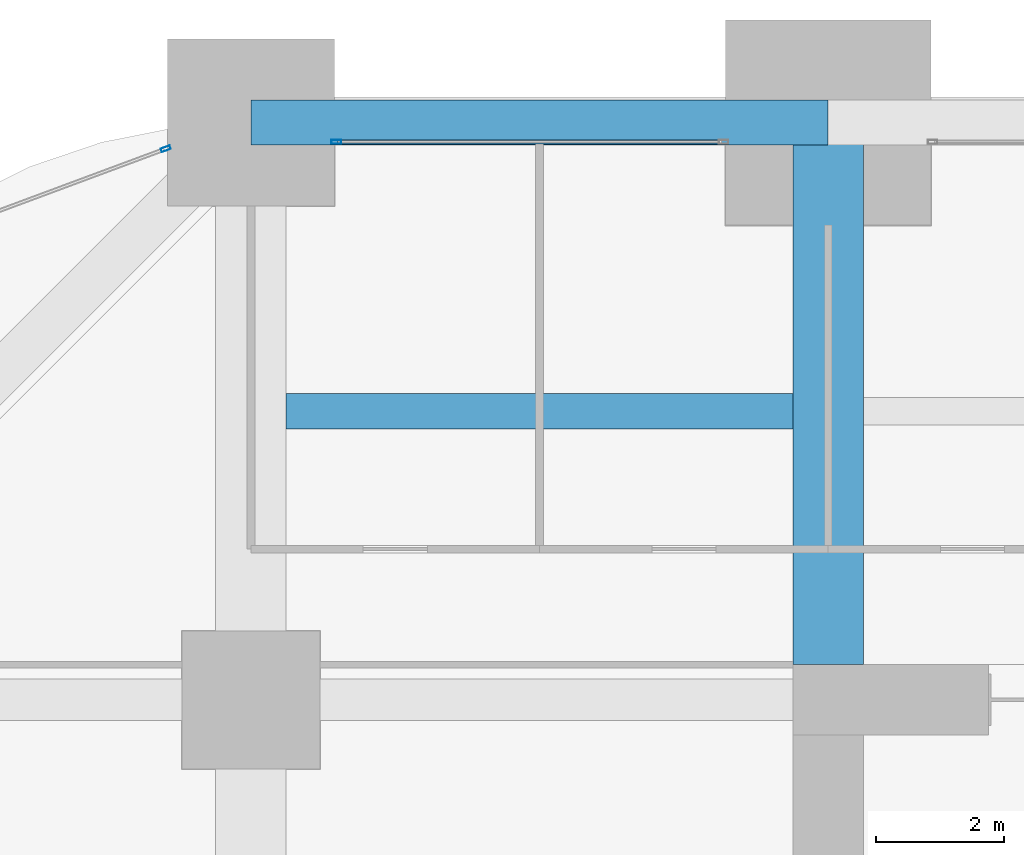
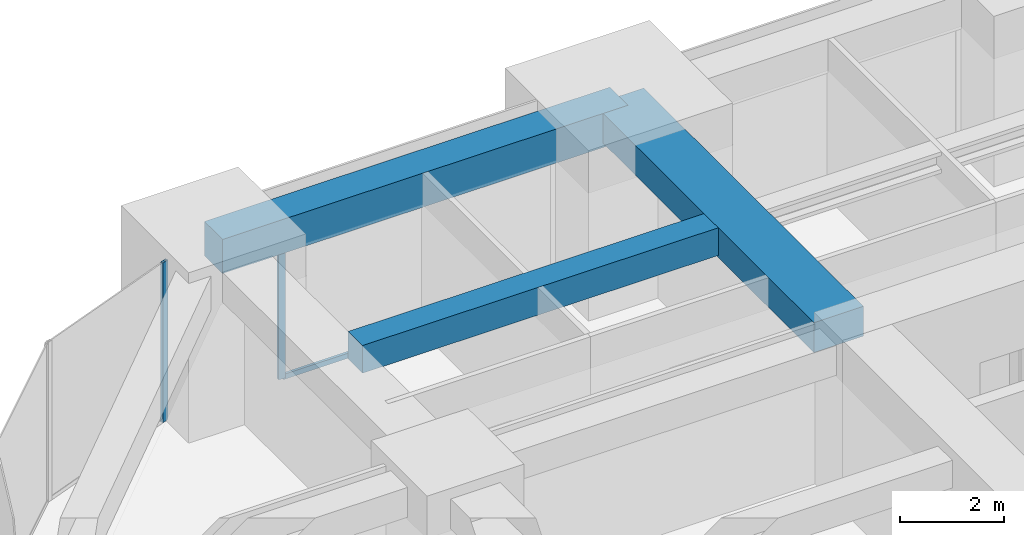
# One storey, part 27 of 41: 3 beams, 3 members, 2 elements without a shape of their own.
"""IFC4 building model written with IfcOpenShell, lengths in metres."""

from ifc_helpers import new_model, si_unit, direction, frame, origin, origin_2d, place, context, subcontext, project, spatial, rectangle, hollow_rectangle, extrude, material, material_profile, profile_set, type_object, element, aggregate, save


model = new_model("IFC4")

# Units and contexts
model_context = context("Model", 3, precision=1e-05, world=origin(), true_north=direction((0.0, 1.0)))
body_context = subcontext(model_context, "Body", "Model", "MODEL_VIEW")
ifc_project = project(units=[si_unit("LENGTHUNIT", "METRE"), si_unit("AREAUNIT", "SQUARE_METRE"), si_unit("VOLUMEUNIT", "CUBIC_METRE"), si_unit("PLANEANGLEUNIT", "RADIAN"), si_unit("MASSUNIT", "GRAM", prefix="KILO")], contexts=[model_context])

# Site, building, storey
site_placement = place(None, origin())
site = spatial("IfcSite", under=ifc_project, at=site_placement, CompositionType="ELEMENT")
building_placement = place(site_placement, origin())
building = spatial("IfcBuilding", under=site, at=building_placement, Name="Zorevar Civic Tower", CompositionType="ELEMENT")
storey_placement = place(building_placement, frame((0.0, 0.0, 89.0)))
storey = spatial("IfcBuildingStorey", under=building, at=storey_placement, Name="L21", CompositionType="ELEMENT", Elevation=89.0)

# Beams
ifc_material_1 = material(Name="Concrete C50/60", Category="concrete")
ifc_material_profile_1 = material_profile(ifc_material_1, rectangle(XDim=1.10009765625, YDim=0.699951171875, at=origin_2d()), Name="RC 1100x700")
ifc_profile_set_1 = profile_set([ifc_material_profile_1], Name="Concrete C50/60")
beam_type_1 = type_object("IfcBeamType", Name="Beam RC 1100x700", PredefinedType="BEAM", material=ifc_profile_set_1)
beam_1_placement = place(storey_placement, frame((18.0, 36.550048828125, 3.39990234375), z_axis=(0.0, 1.0, 0.0), x_axis=(-1.0, 0.0, 0.0)))
element("IfcBeam", 1, at=beam_1_placement, inside=storey, type_object=beam_type_1, Name="Girder L22", PredefinedType="BEAM", context=body_context, shape_type="SweptSolid", body=[
    extrude(rectangle(XDim=1.10009765625, YDim=0.699951171875, at=origin_2d()), origin(), (0.0, 0.0, 1.0), 8.449951171875),
])
ifc_material_2 = material(Name="Concrete C50/60", Category="concrete")
ifc_material_profile_2 = material_profile(ifc_material_2, rectangle(XDim=0.550048828125, YDim=0.64990234375, at=origin_2d()), Name="RC 550x650")
ifc_profile_set_2 = profile_set([ifc_material_profile_2], Name="Concrete C50/60")
beam_type_2 = type_object("IfcBeamType", Name="Beam RC 550x650", PredefinedType="BEAM", material=ifc_profile_set_2)
beam_2_placement = place(storey_placement, frame((9.550048828125, 40.5, 3.425048828125), z_axis=(1.0, 0.0, 0.0), x_axis=(0.0, 1.0, 0.0)))
element("IfcBeam", 2, at=beam_2_placement, inside=storey, type_object=beam_type_2, Name="Secondary beam L22", PredefinedType="BEAM", context=body_context, shape_type="SweptSolid", body=[
    extrude(rectangle(XDim=0.550048828125, YDim=0.64990234375, at=origin_2d()), origin(), (0.0, 0.0, 1.0), 7.89990234375),
])

# Curtain wall, member
ifc_material_3 = material(Name="Dark grey solar-control glass in black aluminium frame", Category="aluminium")
curtain_wall_type = type_object("IfcCurtainWallType", Name="Curtain wall CW3 mid zone", PredefinedType="NOTDEFINED", material=ifc_material_3)
curtain_wall_1_placement = place(storey_placement, origin())
curtain_wall_1 = element("IfcCurtainWall", 3, at=curtain_wall_1_placement, inside=storey, type_object=curtain_wall_type, Name="CW3 L21", PredefinedType="NOTDEFINED")
ifc_material_4 = material(Name="Aluminium, black anodised", Category="aluminium")
ifc_material_profile_3 = material_profile(ifc_material_4, hollow_rectangle(XDim=0.06005859375, YDim=0.14990234375, WallThickness=0.00390625, at=origin_2d()), Name="AL 150x60x4")
ifc_profile_set_3 = profile_set([ifc_material_profile_3], Name="Aluminium, black anodised")
member_type_1 = type_object("IfcMemberType", Name="CW3 mullion AL 150x60x4", PredefinedType="MULLION", material=ifc_profile_set_3)
member_1_placement = place(storey_placement, frame((10.330078125, 44.699951171875, 0.0), z_axis=(0.0, 0.0, 1.0), x_axis=(0.0, 1.0, 0.0)))
member_1 = element("IfcMember", 4, at=member_1_placement, type_object=member_type_1, Name="CW3 mullion 1", PredefinedType="MULLION", context=body_context, shape_type="SweptSolid", body=[
    extrude(hollow_rectangle(XDim=0.06005859375, YDim=0.14990234375, WallThickness=0.00390625, at=origin_2d()), origin(), (0.0, 0.0, 1.0), 2.949951171875),
])

curtain_wall_2_placement = place(storey_placement, origin())
curtain_wall_2 = element("IfcCurtainWall", 5, at=curtain_wall_2_placement, inside=storey, type_object=curtain_wall_type, Name="CW3 L21", PredefinedType="NOTDEFINED")
member_2_placement = place(storey_placement, frame((7.671875, 44.591796875, 0.0), z_axis=(0.0, 0.0, 1.0), x_axis=(0.348499699061, -0.937308892391, 0.0)))
member_2 = element("IfcMember", 6, at=member_2_placement, type_object=member_type_1, Name="CW3 mullion 1", PredefinedType="MULLION", context=body_context, shape_type="SweptSolid", body=[
    extrude(hollow_rectangle(XDim=0.06005859375, YDim=0.14990234375, WallThickness=0.00390625, at=origin_2d()), origin(), (0.0, 0.0, 1.0), 3.75),
])
aggregate(curtain_wall_2, [member_2])

# Member
ifc_material_5 = material(Name="Aluminium, black anodised", Category="aluminium")
ifc_material_profile_4 = material_profile(ifc_material_5, hollow_rectangle(XDim=0.06005859375, YDim=0.1201171875, WallThickness=0.0029296875, at=origin_2d()), Name="AL 120x60x3")
ifc_profile_set_4 = profile_set([ifc_material_profile_4], Name="Aluminium, black anodised")
member_type_2 = type_object("IfcMemberType", Name="CW3 transom AL 120x60x3", PredefinedType="USERDEFINED", material=ifc_profile_set_4)
member_3_placement = place(storey_placement, frame((10.360107421875, 44.699951171875, 0.030029296875), z_axis=(1.0, 0.0, 0.0), x_axis=(0.0, 1.0, 0.0)))
member_3 = element("IfcMember", 7, at=member_3_placement, type_object=member_type_2, Name="CW3 sill transom", ObjectType="TRANSOM", PredefinedType="USERDEFINED", context=body_context, shape_type="SweptSolid", body=[
    extrude(hollow_rectangle(XDim=0.06005859375, YDim=0.1201171875, WallThickness=0.0029296875, at=origin_2d()), origin(), (0.0, 0.0, 1.0), 5.97998046875),
])

aggregate(curtain_wall_1, [member_1, member_3])

# Beam
ifc_material_6 = material(Name="Concrete C50/60", Category="concrete")
ifc_material_profile_5 = material_profile(ifc_material_6, rectangle(XDim=0.699951171875, YDim=0.800048828125, at=origin_2d()), Name="RC 700x800")
ifc_profile_set_5 = profile_set([ifc_material_profile_5], Name="Concrete C50/60")
beam_type_3 = type_object("IfcBeamType", Name="Edge beam RC 700x800", PredefinedType="SPANDREL", material=ifc_profile_set_5)
beam_3_placement = place(storey_placement, frame((9.0, 45.0, 3.35009765625), z_axis=(1.0, 0.0, 0.0), x_axis=(0.0, 1.0, 0.0)))
element("IfcBeam", 8, at=beam_3_placement, inside=storey, type_object=beam_type_3, Name="Edge beam L22", PredefinedType="SPANDREL", context=body_context, shape_type="SweptSolid", body=[
    extrude(rectangle(XDim=0.699951171875, YDim=0.800048828125, at=origin_2d()), origin(), (0.0, 0.0, 1.0), 9.0),
])

save(model, "model.ifc")
